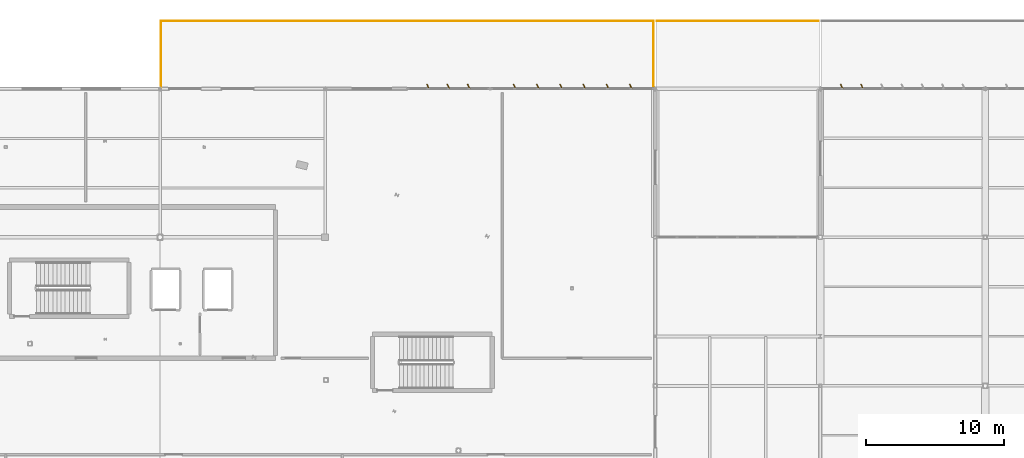
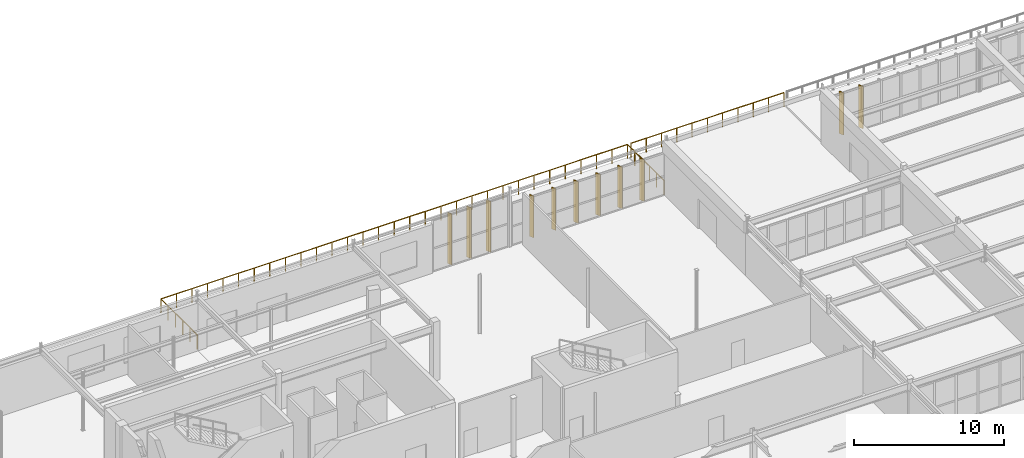
# One storey, part 196 of 199: 11 shading devices, 4 railings.
"""IFC4 building model written with IfcOpenShell, lengths in metres."""

from ifc_helpers import new_model, si_unit, direction, frame, origin, origin_2d, place, context, subcontext, project, spatial, rectangle, circle, extrude, material, layer, layer_set, type_object, element, save


model = new_model("IFC4")

# Units and contexts
model_context = context("Model", 3, precision=1e-05, world=origin(), true_north=direction((0.0, 1.0)))
body_context = subcontext(model_context, "Body", "Model", "MODEL_VIEW")
ifc_project = project(units=[si_unit("LENGTHUNIT", "METRE"), si_unit("AREAUNIT", "SQUARE_METRE"), si_unit("VOLUMEUNIT", "CUBIC_METRE"), si_unit("PLANEANGLEUNIT", "RADIAN"), si_unit("MASSUNIT", "GRAM", prefix="KILO")], contexts=[model_context])

# Site, building, storey
site_placement = place(None, origin())
site = spatial("IfcSite", under=ifc_project, at=site_placement, CompositionType="ELEMENT")
building_placement = place(site_placement, origin())
building = spatial("IfcBuilding", under=site, at=building_placement, Name="Tarnwether General Hospital", CompositionType="ELEMENT")
storey_placement = place(building_placement, origin())
storey = spatial("IfcBuildingStorey", under=building, at=storey_placement, Name="L00", CompositionType="ELEMENT", Elevation=0.0)

# Railings
ifc_material_1 = material(Name="Anodised aluminium", Category="aluminium")
railing_type = type_object("IfcRailingType", Name="RL-GRD-EXT", PredefinedType="GUARDRAIL", material=ifc_material_1)
railing_1_placement = place(storey_placement, frame((132.1298828125, 130.919921875, 0.0)))
element("IfcRailing", 1, at=railing_1_placement, inside=storey, type_object=railing_type, Name="L00 Upper Scarp Arrival Plaza and Street Terrace SL-L00-PLAZA-P2 Guard 0004", PredefinedType="GUARDRAIL", context=body_context, shape_type="SweptSolid", body=[
    extrude(circle(Radius=0.02392578125, at=origin_2d()), frame((0.0, 0.0, 1.1259765625), z_axis=(1.0, 0.0, 0.0), x_axis=(0.0, 1.0, 0.0)), (0.0, 0.0, 1.0), 11.740234375),
    extrude(circle(Radius=0.02099609375, at=origin_2d()), origin(), (0.0, 0.0, 1.0), 1.101806640625),
    extrude(circle(Radius=0.02099609375, at=origin_2d()), frame((1.174072265625, 0.0, 0.0)), (0.0, 0.0, 1.0), 1.101806640625),
    extrude(circle(Radius=0.02099609375, at=origin_2d()), frame((2.34814453125, 0.0, 0.0)), (0.0, 0.0, 1.0), 1.101806640625),
    extrude(circle(Radius=0.02099609375, at=origin_2d()), frame((3.52197265625, 0.0, 0.0)), (0.0, 0.0, 1.0), 1.101806640625),
    extrude(circle(Radius=0.02099609375, at=origin_2d()), frame((4.696044921875, 0.0, 0.0)), (0.0, 0.0, 1.0), 1.101806640625),
    extrude(circle(Radius=0.02099609375, at=origin_2d()), frame((5.8701171875, 0.0, 0.0)), (0.0, 0.0, 1.0), 1.101806640625),
    extrude(circle(Radius=0.02099609375, at=origin_2d()), frame((7.044189453125, 0.0, 0.0)), (0.0, 0.0, 1.0), 1.101806640625),
    extrude(circle(Radius=0.02099609375, at=origin_2d()), frame((8.21826171875, 0.0, 0.0)), (0.0, 0.0, 1.0), 1.101806640625),
    extrude(circle(Radius=0.02099609375, at=origin_2d()), frame((9.39208984375, 0.0, 0.0)), (0.0, 0.0, 1.0), 1.101806640625),
    extrude(circle(Radius=0.02099609375, at=origin_2d()), frame((10.566162109375, 0.0, 0.0)), (0.0, 0.0, 1.0), 1.101806640625),
    extrude(circle(Radius=0.02099609375, at=origin_2d()), frame((11.740234375, 0.0, 0.0)), (0.0, 0.0, 1.0), 1.101806640625),
])
railing_2_placement = place(storey_placement, frame((131.8701171875, 130.919921875, 0.0)))
element("IfcRailing", 2, at=railing_2_placement, inside=storey, type_object=railing_type, Name="L00 Upper Scarp Arrival Plaza and Street Terrace SL-L00-PLAZA-P3 Guard 0005", PredefinedType="GUARDRAIL", context=body_context, shape_type="SweptSolid", body=[
    extrude(circle(Radius=0.02392578125, at=origin_2d()), frame((0.0, 0.0, 1.1259765625), z_axis=(0.0, -1.0, 0.0), x_axis=(1.0, 0.0, 0.0)), (0.0, 0.0, 1.0), 4.83984375),
    extrude(circle(Radius=0.02099609375, at=origin_2d()), origin(), (0.0, 0.0, 1.0), 1.101806640625),
    extrude(circle(Radius=0.02099609375, at=origin_2d()), frame((0.0, -0.968017578125, 0.0)), (0.0, 0.0, 1.0), 1.101806640625),
    extrude(circle(Radius=0.02099609375, at=origin_2d()), frame((0.0, -1.93603515625, 0.0)), (0.0, 0.0, 1.0), 1.101806640625),
    extrude(circle(Radius=0.02099609375, at=origin_2d()), frame((0.0, -2.90380859375, 0.0)), (0.0, 0.0, 1.0), 1.101806640625),
    extrude(circle(Radius=0.02099609375, at=origin_2d()), frame((0.0, -3.871826171875, 0.0)), (0.0, 0.0, 1.0), 1.101806640625),
    extrude(circle(Radius=0.02099609375, at=origin_2d()), frame((0.0, -4.83984375, 0.0)), (0.0, 0.0, 1.0), 1.101806640625),
])
railing_3_placement = place(storey_placement, frame((96.06005859375, 126.080078125, 0.0)))
element("IfcRailing", 3, at=railing_3_placement, inside=storey, type_object=railing_type, Name="L00 Upper Scarp Arrival Plaza and Street Terrace SL-L00-PLAZA-P3 Guard 0006", PredefinedType="GUARDRAIL", context=body_context, shape_type="SweptSolid", body=[
    extrude(circle(Radius=0.02392578125, at=origin_2d()), frame((0.0, 0.0, 1.1259765625), z_axis=(0.0, 1.0, 0.0), x_axis=(-1.0, 0.0, 0.0)), (0.0, 0.0, 1.0), 4.83984375),
    extrude(circle(Radius=0.02099609375, at=origin_2d()), origin(), (0.0, 0.0, 1.0), 1.101806640625),
    extrude(circle(Radius=0.02099609375, at=origin_2d()), frame((0.0, 0.968017578125, 0.0)), (0.0, 0.0, 1.0), 1.101806640625),
    extrude(circle(Radius=0.02099609375, at=origin_2d()), frame((0.0, 1.93603515625, 0.0)), (0.0, 0.0, 1.0), 1.101806640625),
    extrude(circle(Radius=0.02099609375, at=origin_2d()), frame((0.0, 2.90380859375, 0.0)), (0.0, 0.0, 1.0), 1.101806640625),
    extrude(circle(Radius=0.02099609375, at=origin_2d()), frame((0.0, 3.871826171875, 0.0)), (0.0, 0.0, 1.0), 1.101806640625),
    extrude(circle(Radius=0.02099609375, at=origin_2d()), frame((0.0, 4.83984375, 0.0)), (0.0, 0.0, 1.0), 1.101806640625),
])
railing_4_placement = place(storey_placement, frame((96.06005859375, 130.919921875, 0.0)))
element("IfcRailing", 4, at=railing_4_placement, inside=storey, type_object=railing_type, Name="L00 Upper Scarp Arrival Plaza and Street Terrace SL-L00-PLAZA-P3 Guard 0007", PredefinedType="GUARDRAIL", context=body_context, shape_type="SweptSolid", body=[
    extrude(circle(Radius=0.02392578125, at=origin_2d()), frame((0.0, 0.0, 1.1259765625), z_axis=(1.0, 0.0, 0.0), x_axis=(0.0, 1.0, 0.0)), (0.0, 0.0, 1.0), 35.81005859375),
    extrude(circle(Radius=0.02099609375, at=origin_2d()), origin(), (0.0, 0.0, 1.0), 1.101806640625),
    extrude(circle(Radius=0.02099609375, at=origin_2d()), frame((1.193603515625, 0.0, 0.0)), (0.0, 0.0, 1.0), 1.101806640625),
    extrude(circle(Radius=0.02099609375, at=origin_2d()), frame((2.387451171875, 0.0, 0.0)), (0.0, 0.0, 1.0), 1.101806640625),
    extrude(circle(Radius=0.02099609375, at=origin_2d()), frame((3.5810546875, 0.0, 0.0)), (0.0, 0.0, 1.0), 1.101806640625),
    extrude(circle(Radius=0.02099609375, at=origin_2d()), frame((4.774658203125, 0.0, 0.0)), (0.0, 0.0, 1.0), 1.101806640625),
    extrude(circle(Radius=0.02099609375, at=origin_2d()), frame((5.96826171875, 0.0, 0.0)), (0.0, 0.0, 1.0), 1.101806640625),
    extrude(circle(Radius=0.02099609375, at=origin_2d()), frame((7.162109375, 0.0, 0.0)), (0.0, 0.0, 1.0), 1.101806640625),
    extrude(circle(Radius=0.02099609375, at=origin_2d()), frame((8.355712890625, 0.0, 0.0)), (0.0, 0.0, 1.0), 1.101806640625),
    extrude(circle(Radius=0.02099609375, at=origin_2d()), frame((9.54931640625, 0.0, 0.0)), (0.0, 0.0, 1.0), 1.101806640625),
    extrude(circle(Radius=0.02099609375, at=origin_2d()), frame((10.742919921875, 0.0, 0.0)), (0.0, 0.0, 1.0), 1.101806640625),
    extrude(circle(Radius=0.02099609375, at=origin_2d()), frame((11.936767578125, 0.0, 0.0)), (0.0, 0.0, 1.0), 1.101806640625),
    extrude(circle(Radius=0.02099609375, at=origin_2d()), frame((13.13037109375, 0.0, 0.0)), (0.0, 0.0, 1.0), 1.101806640625),
    extrude(circle(Radius=0.02099609375, at=origin_2d()), frame((14.323974609375, 0.0, 0.0)), (0.0, 0.0, 1.0), 1.101806640625),
    extrude(circle(Radius=0.02099609375, at=origin_2d()), frame((15.517578125, 0.0, 0.0)), (0.0, 0.0, 1.0), 1.101806640625),
    extrude(circle(Radius=0.02099609375, at=origin_2d()), frame((16.71142578125, 0.0, 0.0)), (0.0, 0.0, 1.0), 1.101806640625),
    extrude(circle(Radius=0.02099609375, at=origin_2d()), frame((17.905029296875, 0.0, 0.0)), (0.0, 0.0, 1.0), 1.101806640625),
    extrude(circle(Radius=0.02099609375, at=origin_2d()), frame((19.0986328125, 0.0, 0.0)), (0.0, 0.0, 1.0), 1.101806640625),
    extrude(circle(Radius=0.02099609375, at=origin_2d()), frame((20.29248046875, 0.0, 0.0)), (0.0, 0.0, 1.0), 1.101806640625),
    extrude(circle(Radius=0.02099609375, at=origin_2d()), frame((21.486083984375, 0.0, 0.0)), (0.0, 0.0, 1.0), 1.101806640625),
    extrude(circle(Radius=0.02099609375, at=origin_2d()), frame((22.6796875, 0.0, 0.0)), (0.0, 0.0, 1.0), 1.101806640625),
    extrude(circle(Radius=0.02099609375, at=origin_2d()), frame((23.873291015625, 0.0, 0.0)), (0.0, 0.0, 1.0), 1.101806640625),
    extrude(circle(Radius=0.02099609375, at=origin_2d()), frame((25.067138671875, 0.0, 0.0)), (0.0, 0.0, 1.0), 1.101806640625),
    extrude(circle(Radius=0.02099609375, at=origin_2d()), frame((26.2607421875, 0.0, 0.0)), (0.0, 0.0, 1.0), 1.101806640625),
    extrude(circle(Radius=0.02099609375, at=origin_2d()), frame((27.454345703125, 0.0, 0.0)), (0.0, 0.0, 1.0), 1.101806640625),
    extrude(circle(Radius=0.02099609375, at=origin_2d()), frame((28.64794921875, 0.0, 0.0)), (0.0, 0.0, 1.0), 1.101806640625),
    extrude(circle(Radius=0.02099609375, at=origin_2d()), frame((29.841796875, 0.0, 0.0)), (0.0, 0.0, 1.0), 1.101806640625),
    extrude(circle(Radius=0.02099609375, at=origin_2d()), frame((31.035400390625, 0.0, 0.0)), (0.0, 0.0, 1.0), 1.101806640625),
    extrude(circle(Radius=0.02099609375, at=origin_2d()), frame((32.22900390625, 0.0, 0.0)), (0.0, 0.0, 1.0), 1.101806640625),
    extrude(circle(Radius=0.02099609375, at=origin_2d()), frame((33.422607421875, 0.0, 0.0)), (0.0, 0.0, 1.0), 1.101806640625),
    extrude(circle(Radius=0.02099609375, at=origin_2d()), frame((34.616455078125, 0.0, 0.0)), (0.0, 0.0, 1.0), 1.101806640625),
    extrude(circle(Radius=0.02099609375, at=origin_2d()), frame((35.81005859375, 0.0, 0.0)), (0.0, 0.0, 1.0), 1.101806640625),
])

# Shading devices
ifc_material_2 = material(Name="Champagne-bronze anodised aluminium", Category="aluminium")
ifc_layer = layer(ifc_material_2, 0.06005859375)
ifc_layer_set = layer_set([ifc_layer], Name="Champagne-bronze anodised aluminium")
shading_device_type = type_object("IfcShadingDeviceType", Name="SH-FIN-BRZ", PredefinedType="USERDEFINED", material=ifc_layer_set)
for number, where, z_axis, x_axis, name in (
    (5, (115.47900390625, 126.159912109375, 0.050048828125), (0.0, 0.0, 1.0), (0.906307787037, 0.422618261741, 0.0), "Champagne-Bronze Brise-Soleil Fin 0024"),
    (6, (116.958984375, 126.159912109375, 0.050048828125), (0.0, 0.0, 1.0), (0.906307787037, 0.422618261741, 0.0), "Champagne-Bronze Brise-Soleil Fin 0025"),
    (7, (118.43798828125, 126.159912109375, 0.050048828125), (0.0, 0.0, 1.0), (0.906307787037, 0.422618261741, 0.0), "Champagne-Bronze Brise-Soleil Fin 0026"),
):
    element("IfcShadingDevice", number, at=place(storey_placement, frame(where, z_axis=z_axis, x_axis=x_axis)), inside=storey, type_object=shading_device_type, Name=name, ObjectType="SOLAR FIN", PredefinedType="USERDEFINED", context=body_context, shape_type="SweptSolid", body=[
        extrude(rectangle(XDim=0.06005859375, YDim=0.360107421875, at=origin_2d()), origin(), (0.0, 0.0, 1.0), 4.126953125),
    ])
for number, where, z_axis, x_axis, name in (
    (8, (121.77294921875, 126.159912109375, 0.050048828125), (0.0, 0.0, 1.0), (0.906307787037, 0.422618261741, 0.0), "Champagne-Bronze Brise-Soleil Fin 0027"),
    (9, (123.462890625, 126.159912109375, 0.050048828125), (0.0, 0.0, 1.0), (0.906307787037, 0.422618261741, 0.0), "Champagne-Bronze Brise-Soleil Fin 0028"),
    (10, (125.153076171875, 126.159912109375, 0.050048828125), (0.0, 0.0, 1.0), (0.906307787037, 0.422618261741, 0.0), "Champagne-Bronze Brise-Soleil Fin 0029"),
    (11, (126.843017578125, 126.159912109375, 0.050048828125), (0.0, 0.0, 1.0), (0.906307787037, 0.422618261741, 0.0), "Champagne-Bronze Brise-Soleil Fin 0030"),
    (12, (128.532958984375, 126.159912109375, 0.050048828125), (0.0, 0.0, 1.0), (0.906307787037, 0.422618261741, 0.0), "Champagne-Bronze Brise-Soleil Fin 0031"),
    (13, (130.222900390625, 126.159912109375, 0.050048828125), (0.0, 0.0, 1.0), (0.906307787037, 0.422618261741, 0.0), "Champagne-Bronze Brise-Soleil Fin 0032"),
):
    element("IfcShadingDevice", number, at=place(storey_placement, frame(where, z_axis=z_axis, x_axis=x_axis)), inside=storey, type_object=shading_device_type, Name=name, ObjectType="SOLAR FIN", PredefinedType="USERDEFINED", context=body_context, shape_type="SweptSolid", body=[
        extrude(rectangle(XDim=0.06005859375, YDim=0.360107421875, at=origin_2d()), origin(), (0.0, 0.0, 1.0), 3.3798828125),
    ])
for number, where, z_axis, x_axis, name in (
    (14, (145.56103515625, 126.159912109375, 0.0498046875), (0.0, 0.0, 1.0), (0.906307787037, 0.422618261741, 0.0), "Champagne-Bronze Brise-Soleil Fin 0033"),
    (15, (147.037109375, 126.159912109375, 0.0498046875), (0.0, 0.0, 1.0), (0.906307787037, 0.422618261741, 0.0), "Champagne-Bronze Brise-Soleil Fin 0034"),
):
    element("IfcShadingDevice", number, at=place(storey_placement, frame(where, z_axis=z_axis, x_axis=x_axis)), inside=storey, type_object=shading_device_type, Name=name, ObjectType="SOLAR FIN", PredefinedType="USERDEFINED", context=body_context, shape_type="SweptSolid", body=[
        extrude(rectangle(XDim=0.06005859375, YDim=0.360107421875, at=origin_2d()), origin(), (0.0, 0.0, 1.0), 3.429931640625),
    ])

save(model, "model.ifc")
